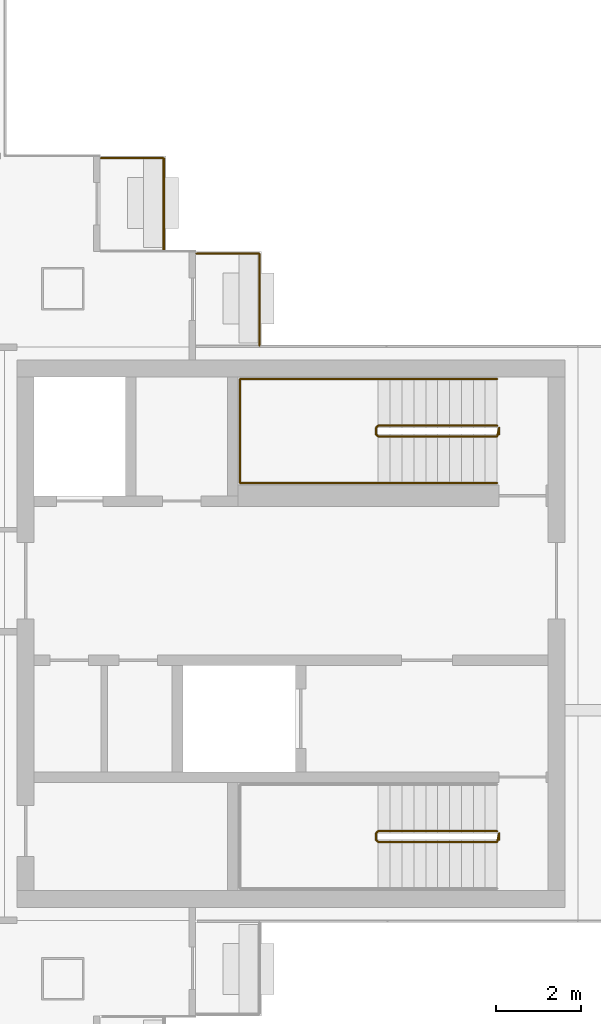
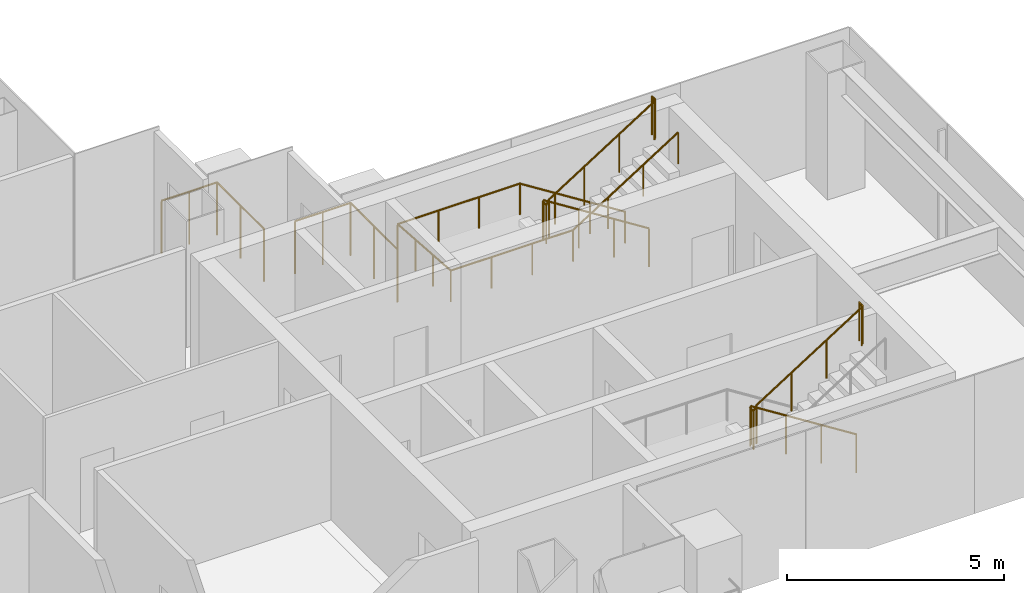
# One storey, part 16 of 17: 5 railings.
"""IFC4 building model written with IfcOpenShell, lengths in metres."""

import ifcopenshell
import ifcopenshell.guid

model = None  # the IFC model being written
_history = None  # IfcOwnerHistory: only IFC2X3 demands one
_inside = {}  # id of a spatial element -> (the spatial element, [elements in it])
_under = {}  # id of a project, library or spatial element -> (it, [spatial elements below it])
_declared = {}  # id of a project -> (the project, [libraries it declares])
_typed = {}  # id of a type object -> (the type object, [elements of that type])
_made_of = {}  # id of a material, layer set ... -> (it, [elements and type objects made of it])


def new_model(schema):
    """Start an empty IFC model of exactly this schema.

    Asked for "IFC4X3", IfcOpenShell would pick the latest addendum, in which some entities
    have other attributes; the version numbers below select the first issue.
    IFC2X3 requires an IfcOwnerHistory on every rooted entity: one is made here for all.
    """
    global model, _history
    if schema == "IFC4X3":
        model = ifcopenshell.file(schema_version=(4, 3, 0, 0))
    else:
        model = ifcopenshell.file(schema=schema)
    _inside.clear()
    _under.clear()
    _declared.clear()
    _typed.clear()
    _made_of.clear()
    _history = None
    if model.schema == "IFC2X3":
        org = make("IfcOrganization", Name="unknown")
        user = make(
            "IfcPersonAndOrganization",
            ThePerson=make("IfcPerson", FamilyName="unknown"),
            TheOrganization=org,
        )
        app = make(
            "IfcApplication",
            ApplicationDeveloper=org,
            Version="unknown",
            ApplicationFullName="unknown",
            ApplicationIdentifier="unknown",
        )
        _history = make(
            "IfcOwnerHistory",
            OwningUser=user,
            OwningApplication=app,
            ChangeAction="ADDED",
            CreationDate=0,
        )
    return model


def make(cls, **values):
    """One entity of the class cls with the attributes given. An attribute that is None is left unset."""
    return model.create_entity(
        cls, **{name: value for name, value in values.items() if value is not None}
    )


def rooted(cls, **values):
    """An entity with a GlobalId (a new one), such as an element, a storey or a relation."""
    return make(cls, GlobalId=ifcopenshell.guid.new(), OwnerHistory=_history, **values)


def si_unit(unit_type, name, prefix=None):
    """IfcSIUnit, for example si_unit("LENGTHUNIT", "METRE", prefix="MILLI")."""
    return make("IfcSIUnit", UnitType=unit_type, Prefix=prefix, Name=name)


def assignment(units):
    """IfcUnitAssignment: the units of a project."""
    return None if units is None else make("IfcUnitAssignment", Units=units)


def point(xyz):
    """IfcCartesianPoint."""
    return None if xyz is None else make("IfcCartesianPoint", Coordinates=xyz)


def direction(xyz):
    """IfcDirection."""
    return None if xyz is None else make("IfcDirection", DirectionRatios=xyz)


def frame(location, z_axis=None, x_axis=None):
    """IfcAxis2Placement3D, a coordinate frame: its origin and axes. An axis left out is left unset."""
    return make(
        "IfcAxis2Placement3D",
        Location=point(location),
        Axis=direction(z_axis),
        RefDirection=direction(x_axis),
    )


def frame_2d(location, x_axis=None):
    """IfcAxis2Placement2D, a coordinate frame in the plane: its origin and x axis."""
    return make(
        "IfcAxis2Placement2D", Location=point(location), RefDirection=direction(x_axis)
    )


def origin():
    """The frame at (0, 0, 0) with its axes left unset."""
    return frame((0.0, 0.0, 0.0))


def origin_2d():
    """The frame at (0, 0) in the plane with its x axis left unset."""
    return frame_2d((0.0, 0.0))


def place(relative_to, where):
    """IfcLocalPlacement: puts the frame where relative to a parent placement (None: the world)."""
    return make(
        "IfcLocalPlacement", PlacementRelTo=relative_to, RelativePlacement=where
    )


def context(
    kind, dimensions, precision=None, world=None, true_north=None, identifier=None
):
    """IfcGeometricRepresentationContext, for example the 3D "Model" context."""
    return make(
        "IfcGeometricRepresentationContext",
        ContextIdentifier=identifier,
        ContextType=kind,
        CoordinateSpaceDimension=dimensions,
        Precision=precision,
        WorldCoordinateSystem=world,
        TrueNorth=true_north,
    )


def subcontext(parent, identifier, kind, view, scale=None):
    """IfcGeometricRepresentationSubContext, for example "Body" below "Model"."""
    return make(
        "IfcGeometricRepresentationSubContext",
        ContextIdentifier=identifier,
        ContextType=kind,
        ParentContext=parent,
        TargetScale=scale,
        TargetView=view,
    )


def project(units=None, contexts=None):
    """IfcProject with its units and contexts."""
    return rooted(
        "IfcProject",
        Name="project",
        RepresentationContexts=contexts,
        UnitsInContext=assignment(units),
    )


def spatial(cls, under=None, at=None, **own):
    """A site, building, storey or space (cls), placed at a placement, below another one or the project."""
    s = rooted(cls, ObjectPlacement=at, **own)
    if under is not None:
        _under.setdefault(under.id(), (under, []))[1].append(s)
    return s


def profile(cls, at=None, kind="AREA", **sizes):
    """A parametric profile (cls). Its sizes go by their IFC names, for example OverallWidth=200.0."""
    return make(cls, ProfileType=kind, Position=at, **sizes)


def circle(**sizes):
    """IfcCircleProfileDef."""
    return profile("IfcCircleProfileDef", **sizes)


def extrude(swept, where, along, depth):
    """IfcExtrudedAreaSolid: the profile swept, set in the frame where, extruded along a direction by depth."""
    return make(
        "IfcExtrudedAreaSolid",
        SweptArea=swept,
        Position=where,
        ExtrudedDirection=direction(along),
        Depth=depth,
    )


def shape(context_of_items, identifier, shape_type, items):
    """IfcShapeRepresentation: the items that make up one representation, for example the "Body"."""
    return make(
        "IfcShapeRepresentation",
        ContextOfItems=context_of_items,
        RepresentationIdentifier=identifier,
        RepresentationType=shape_type,
        Items=items,
    )


def material(Name=None, Category=None):
    """IfcMaterial."""
    return make("IfcMaterial", Name=Name, Category=Category)


def made_of(thing, what):
    """Note that an element or type object is made of a material, layer set ...; save() writes the relation."""
    if what is not None:
        _made_of.setdefault(what.id(), (what, []))[1].append(thing)
    return thing


def type_object(cls, material=None, **own):
    """A type object (cls), such as IfcWallType, which elements share."""
    return made_of(rooted(cls, **own), material)


def element(
    cls,
    number,
    at=None,
    inside=None,
    cuts=None,
    type_object=None,
    material=None,
    context=None,
    identifier="Body",
    shape_type=None,
    held_by="IfcProductDefinitionShape",
    body=None,
    shapes=None,
    **own,
):
    """One element of the class cls, such as IfcWall. Its Tag is "e" and its number.

    at: its placement. inside: the storey or other place that contains it. cuts: it is an
    opening in that element (IfcRelVoidsElement). A single representation is given by context,
    identifier, shape_type and body (its items); several are given by shapes. held_by: the class
    of the entity that holds the representations. save() writes the other relations.
    """
    e = rooted(cls, Tag="e%d" % number, ObjectPlacement=at, **own)
    if body is not None:
        shapes = [shape(context, identifier, shape_type, body)]
    if shapes is not None:
        e.Representation = make(held_by, Representations=shapes)
    if inside is not None:
        _inside.setdefault(inside.id(), (inside, []))[1].append(e)
    if cuts is not None:
        rooted(
            "IfcRelVoidsElement", RelatingBuildingElement=cuts, RelatedOpeningElement=e
        )
    if type_object is not None:
        _typed.setdefault(type_object.id(), (type_object, []))[1].append(e)
    return made_of(e, material)


def aggregate(whole, parts):
    """IfcRelAggregates: a whole, such as a stair, and the parts it consists of."""
    return rooted("IfcRelAggregates", RelatingObject=whole, RelatedObjects=parts)


def save(model, path):
    """Write the relations noted so far, then the file.

    IfcRelAggregates (storeys below a building ...), IfcRelContainedInSpatialStructure (elements
    in a storey), IfcRelDefinesByType, IfcRelAssociatesMaterial and IfcRelDeclares: one each for
    every whole, place, type object, material and project.
    """
    for whole, parts in _under.values():
        aggregate(whole, parts)
    for where, things in _inside.values():
        rooted(
            "IfcRelContainedInSpatialStructure",
            RelatedElements=things,
            RelatingStructure=where,
        )
    for kind, things in _typed.values():
        rooted("IfcRelDefinesByType", RelatedObjects=things, RelatingType=kind)
    for what, things in _made_of.values():
        rooted("IfcRelAssociatesMaterial", RelatedObjects=things, RelatingMaterial=what)
    for by, libraries in _declared.values():
        rooted("IfcRelDeclares", RelatingContext=by, RelatedDefinitions=libraries)
    model.write(path)


model = new_model("IFC4")

# Units and contexts
model_context = context("Model", 3, precision=1e-05, world=origin(), true_north=direction((0.0, 1.0)))
body_context = subcontext(model_context, "Body", "Model", "MODEL_VIEW")
ifc_project = project(units=[si_unit("LENGTHUNIT", "METRE"), si_unit("AREAUNIT", "SQUARE_METRE"), si_unit("VOLUMEUNIT", "CUBIC_METRE"), si_unit("PLANEANGLEUNIT", "RADIAN"), si_unit("MASSUNIT", "GRAM", prefix="KILO")], contexts=[model_context])

# Site, building, storey
site_placement = place(None, origin())
site = spatial("IfcSite", under=ifc_project, at=site_placement, CompositionType="ELEMENT")
building_placement = place(site_placement, origin())
building = spatial("IfcBuilding", under=site, at=building_placement, Name="Shamsa Quay Exchange Towers", CompositionType="ELEMENT")
storey_placement = place(building_placement, frame((0.0, 0.0, 198.300048828125)))
storey = spatial("IfcBuildingStorey", under=building, at=storey_placement, Name="L47", CompositionType="ELEMENT", Elevation=198.300048828125)

# Railings
ifc_material_1 = material(Name="Steel S355, black powder-coated", Category="steel")
railing_type_1 = type_object("IfcRailingType", Name="BALCONY GUARD 1500", PredefinedType="GUARDRAIL", material=ifc_material_1)
for number, where, name in (
    (1, (44.25, 9.0380859375, 0.0), "Balcony guard T2-PKES L47"),
    (2, (46.5, 6.7880859375, 0.0), "Balcony guard T2-PKES L47"),
):
    element("IfcRailing", number, at=place(storey_placement, frame(where)), inside=storey, type_object=railing_type_1, Name=name, PredefinedType="GUARDRAIL", context=body_context, shape_type="SweptSolid", body=[
        extrude(circle(Radius=0.02392578125, at=origin_2d()), frame((0.0, 0.0, 1.47607421875), z_axis=(0.0, 1.0, 0.0), x_axis=(-1.0, 0.0, 0.0)), (0.0, 0.0, 1.0), 2.161865234375),
        extrude(circle(Radius=0.02392578125, at=origin_2d()), frame((0.0, 2.161865234375, 1.47607421875), z_axis=(-1.0, 0.0, 0.0), x_axis=(0.0, -1.0, 0.0)), (0.0, 0.0, 1.0), 1.47900390625),
        extrude(circle(Radius=0.02099609375, at=origin_2d()), origin(), (0.0, 0.0, 1.0), 1.451904296875),
        extrude(circle(Radius=0.02099609375, at=origin_2d()), frame((0.0, 1.0810546875, 0.0)), (0.0, 0.0, 1.0), 1.451904296875),
        extrude(circle(Radius=0.02099609375, at=origin_2d()), frame((0.0, 2.161865234375, 0.0)), (0.0, 0.0, 1.0), 1.451904296875),
        extrude(circle(Radius=0.02099609375, at=origin_2d()), frame((-0.739501953125, 2.161865234375, 0.0)), (0.0, 0.0, 1.0), 1.451904296875),
        extrude(circle(Radius=0.02099609375, at=origin_2d()), frame((-1.47900390625, 2.161865234375, 0.0)), (0.0, 0.0, 1.0), 1.451904296875),
    ])
ifc_material_2 = material(Name="Stainless steel", Category="steel")
railing_type_2 = type_object("IfcRailingType", Name="STAIR GUARD 1100", PredefinedType="GUARDRAIL", material=ifc_material_2)
railing_1_placement = place(storey_placement, frame((52.10009765625, -4.64990234375, 0.17724609375)))
element("IfcRailing", 3, at=railing_1_placement, inside=storey, type_object=railing_type_2, Name="L47 ST5 stair guard 1", PredefinedType="GUARDRAIL", context=body_context, shape_type="SweptSolid", body=[
    extrude(circle(Radius=0.02392578125, at=origin_2d()), frame((0.0, 0.0, 1.076171875), z_axis=(-0.844908973607, 0.0, 0.534910110503), x_axis=(0.0, -1.0, 0.0)), (0.0, 0.0, 1.0), 3.31396484375),
    extrude(circle(Radius=0.02392578125, at=origin_2d()), frame((-2.800048828125, 0.0, 2.8486328125), z_axis=(-0.707106781187, -0.707106781187, 0.0), x_axis=(0.707106781187, -0.707106781187, 0.0)), (0.0, 0.0, 1.0), 0.07080078125),
    extrude(circle(Radius=0.02392578125, at=origin_2d()), frame((-2.85009765625, -0.050048828125, 2.8486328125), z_axis=(0.0, -1.0, 0.0), x_axis=(1.0, 0.0, 0.0)), (0.0, 0.0, 1.0), 0.150146484375),
    extrude(circle(Radius=0.02392578125, at=origin_2d()), frame((-2.85009765625, -0.2001953125, 2.8486328125), z_axis=(0.262321481514, -0.261041864531, 0.929001929653), x_axis=(0.705375805398, 0.708833529934, 0.0)), (0.0, 0.0, 1.0), 0.190673828125),
    extrude(circle(Radius=0.02392578125, at=origin_2d()), frame((-2.800048828125, -0.25, 3.02587890625), z_axis=(0.844908973607, 0.0, 0.534910110503), x_axis=(0.0, 1.0, 0.0)), (0.0, 0.0, 1.0), 3.31396484375),
    extrude(circle(Radius=0.02392578125, at=origin_2d()), frame((0.0, -0.25, 4.798828125), z_axis=(0.241699205484, 0.970351222016, 0.0), x_axis=(-0.970351222016, 0.241699205484, 0.0)), (0.0, 0.0, 1.0), 0.2060546875),
    extrude(circle(Radius=0.02392578125, at=origin_2d()), frame((0.0498046875, -0.050048828125, 4.798828125), z_axis=(0.0, -1.0, 0.0), x_axis=(1.0, 0.0, 0.0)), (0.0, 0.0, 1.0), 0.150146484375),
    extrude(circle(Radius=0.02099609375, at=origin_2d()), origin(), (0.0, 0.0, 1.0), 1.052001953125),
    extrude(circle(Radius=0.02099609375, at=origin_2d()), frame((-0.933349609375, 0.0, 0.5908203125)), (0.0, 0.0, 1.0), 1.052001953125),
    extrude(circle(Radius=0.02099609375, at=origin_2d()), frame((-1.86669921875, 0.0, 1.181884765625)), (0.0, 0.0, 1.0), 1.052001953125),
    extrude(circle(Radius=0.02099609375, at=origin_2d()), frame((-2.800048828125, 0.0, 1.772705078125)), (0.0, 0.0, 1.0), 1.052001953125),
    extrude(circle(Radius=0.02099609375, at=origin_2d()), frame((-2.85009765625, -0.050048828125, 1.772705078125)), (0.0, 0.0, 1.0), 1.052001953125),
    extrude(circle(Radius=0.02099609375, at=origin_2d()), frame((-2.85009765625, -0.2001953125, 1.772705078125)), (0.0, 0.0, 1.0), 1.052001953125),
    extrude(circle(Radius=0.02099609375, at=origin_2d()), frame((-2.800048828125, -0.25, 1.949951171875)), (0.0, 0.0, 1.0), 1.052001953125),
    extrude(circle(Radius=0.02099609375, at=origin_2d()), frame((-1.86669921875, -0.25, 2.540771484375)), (0.0, 0.0, 1.0), 1.052001953125),
    extrude(circle(Radius=0.02099609375, at=origin_2d()), frame((-0.933349609375, -0.25, 3.1318359375)), (0.0, 0.0, 1.0), 1.052001953125),
    extrude(circle(Radius=0.02099609375, at=origin_2d()), frame((0.0, -0.25, 3.72265625)), (0.0, 0.0, 1.0), 1.052001953125),
    extrude(circle(Radius=0.02099609375, at=origin_2d()), frame((0.0498046875, -0.050048828125, 3.72265625)), (0.0, 0.0, 1.0), 1.052001953125),
    extrude(circle(Radius=0.02099609375, at=origin_2d()), frame((0.0498046875, -0.2001953125, 3.72265625)), (0.0, 0.0, 1.0), 1.052001953125),
])
railing_2_placement = place(storey_placement, frame((52.10009765625, 4.89990234375, 0.17724609375)))
element("IfcRailing", 4, at=railing_2_placement, inside=storey, type_object=railing_type_2, Name="L47 ST6 stair guard 1", PredefinedType="GUARDRAIL", context=body_context, shape_type="SweptSolid", body=[
    extrude(circle(Radius=0.02392578125, at=origin_2d()), frame((0.0, 0.0, 1.076171875), z_axis=(-0.844908973607, 0.0, 0.534910110503), x_axis=(0.0, -1.0, 0.0)), (0.0, 0.0, 1.0), 3.31396484375),
    extrude(circle(Radius=0.02392578125, at=origin_2d()), frame((-2.800048828125, 0.0, 2.8486328125), z_axis=(-0.708833529934, -0.705375805398, 0.0), x_axis=(0.705375805398, -0.708833529934, 0.0)), (0.0, 0.0, 1.0), 0.070556640625),
    extrude(circle(Radius=0.02392578125, at=origin_2d()), frame((-2.85009765625, -0.0498046875, 2.8486328125), z_axis=(0.0, -1.0, 0.0), x_axis=(1.0, 0.0, 0.0)), (0.0, 0.0, 1.0), 0.150146484375),
    extrude(circle(Radius=0.02392578125, at=origin_2d()), frame((-2.85009765625, -0.199951171875, 2.8486328125), z_axis=(0.262233686654, -0.262233686654, 0.928691007369), x_axis=(0.707106781187, 0.707106781187, 0.0)), (0.0, 0.0, 1.0), 0.19091796875),
    extrude(circle(Radius=0.02392578125, at=origin_2d()), frame((-2.800048828125, -0.25, 3.02587890625), z_axis=(0.844908973607, 0.0, 0.534910110503), x_axis=(0.0, 1.0, 0.0)), (0.0, 0.0, 1.0), 3.31396484375),
    extrude(circle(Radius=0.02392578125, at=origin_2d()), frame((0.0, -0.25, 4.798828125), z_axis=(0.24142163986, 0.970420317083, 0.0), x_axis=(-0.970420317083, 0.24142163986, 0.0)), (0.0, 0.0, 1.0), 0.206298828125),
    extrude(circle(Radius=0.02392578125, at=origin_2d()), frame((0.0498046875, -0.0498046875, 4.798828125), z_axis=(0.0, -1.0, 0.0), x_axis=(1.0, 0.0, 0.0)), (0.0, 0.0, 1.0), 0.150146484375),
    extrude(circle(Radius=0.02099609375, at=origin_2d()), origin(), (0.0, 0.0, 1.0), 1.052001953125),
    extrude(circle(Radius=0.02099609375, at=origin_2d()), frame((-0.933349609375, 0.0, 0.5908203125)), (0.0, 0.0, 1.0), 1.052001953125),
    extrude(circle(Radius=0.02099609375, at=origin_2d()), frame((-1.86669921875, 0.0, 1.181884765625)), (0.0, 0.0, 1.0), 1.052001953125),
    extrude(circle(Radius=0.02099609375, at=origin_2d()), frame((-2.800048828125, 0.0, 1.772705078125)), (0.0, 0.0, 1.0), 1.052001953125),
    extrude(circle(Radius=0.02099609375, at=origin_2d()), frame((-2.85009765625, -0.0498046875, 1.772705078125)), (0.0, 0.0, 1.0), 1.052001953125),
    extrude(circle(Radius=0.02099609375, at=origin_2d()), frame((-2.85009765625, -0.199951171875, 1.772705078125)), (0.0, 0.0, 1.0), 1.052001953125),
    extrude(circle(Radius=0.02099609375, at=origin_2d()), frame((-2.800048828125, -0.25, 1.949951171875)), (0.0, 0.0, 1.0), 1.052001953125),
    extrude(circle(Radius=0.02099609375, at=origin_2d()), frame((-1.86669921875, -0.25, 2.540771484375)), (0.0, 0.0, 1.0), 1.052001953125),
    extrude(circle(Radius=0.02099609375, at=origin_2d()), frame((-0.933349609375, -0.25, 3.1318359375)), (0.0, 0.0, 1.0), 1.052001953125),
    extrude(circle(Radius=0.02099609375, at=origin_2d()), frame((0.0, -0.25, 3.72265625)), (0.0, 0.0, 1.0), 1.052001953125),
    extrude(circle(Radius=0.02099609375, at=origin_2d()), frame((0.0498046875, -0.0498046875, 3.72265625)), (0.0, 0.0, 1.0), 1.052001953125),
    extrude(circle(Radius=0.02099609375, at=origin_2d()), frame((0.0498046875, -0.199951171875, 3.72265625)), (0.0, 0.0, 1.0), 1.052001953125),
])
railing_type_3 = type_object("IfcRailingType", Name="STAIR HANDRAIL 900", PredefinedType="HANDRAIL", material=ifc_material_2)
railing_3_placement = place(storey_placement, frame((52.10009765625, 6.0, 0.17724609375)))
element("IfcRailing", 5, at=railing_3_placement, inside=storey, type_object=railing_type_3, Name="L47 ST6 stair handrail 1", PredefinedType="HANDRAIL", context=body_context, shape_type="SweptSolid", body=[
    extrude(circle(Radius=0.02392578125, at=origin_2d()), frame((0.0, 0.0, 0.8759765625), z_axis=(-0.844908973607, 0.0, 0.534910110503), x_axis=(0.0, -1.0, 0.0)), (0.0, 0.0, 1.0), 3.31396484375),
    extrude(circle(Radius=0.02392578125, at=origin_2d()), frame((-2.800048828125, 0.0, 2.6484375), z_axis=(-1.0, 0.0, 0.0), x_axis=(0.0, -1.0, 0.0)), (0.0, 0.0, 1.0), 3.25),
    extrude(circle(Radius=0.02392578125, at=origin_2d()), frame((-6.050048828125, 0.0, 2.6484375), z_axis=(0.0, -0.997393199914, 0.07215819264), x_axis=(1.0, 0.0, 0.0)), (0.0, 0.0, 1.0), 2.456298828125),
    extrude(circle(Radius=0.02392578125, at=origin_2d()), frame((-6.050048828125, -2.449951171875, 2.82568359375), z_axis=(1.0, 0.0, 0.0), x_axis=(0.0, 1.0, 0.0)), (0.0, 0.0, 1.0), 3.25),
    extrude(circle(Radius=0.02392578125, at=origin_2d()), frame((-2.800048828125, -2.449951171875, 2.82568359375), z_axis=(0.844908973607, 0.0, 0.534910110503), x_axis=(0.0, 1.0, 0.0)), (0.0, 0.0, 1.0), 3.31396484375),
    extrude(circle(Radius=0.02099609375, at=origin_2d()), origin(), (0.0, 0.0, 1.0), 0.851806640625),
    extrude(circle(Radius=0.02099609375, at=origin_2d()), frame((-0.933349609375, 0.0, 0.5908203125)), (0.0, 0.0, 1.0), 0.851806640625),
    extrude(circle(Radius=0.02099609375, at=origin_2d()), frame((-1.86669921875, 0.0, 1.181884765625)), (0.0, 0.0, 1.0), 0.851806640625),
    extrude(circle(Radius=0.02099609375, at=origin_2d()), frame((-2.800048828125, 0.0, 1.772705078125)), (0.0, 0.0, 1.0), 0.851806640625),
    extrude(circle(Radius=0.02099609375, at=origin_2d()), frame((-3.88330078125, 0.0, 1.772705078125)), (0.0, 0.0, 1.0), 0.851806640625),
    extrude(circle(Radius=0.02099609375, at=origin_2d()), frame((-4.966796875, 0.0, 1.772705078125)), (0.0, 0.0, 1.0), 0.851806640625),
    extrude(circle(Radius=0.02099609375, at=origin_2d()), frame((-6.050048828125, 0.0, 1.772705078125)), (0.0, 0.0, 1.0), 0.851806640625),
    extrude(circle(Radius=0.02099609375, at=origin_2d()), frame((-6.050048828125, -0.816650390625, 1.831787109375)), (0.0, 0.0, 1.0), 0.851806640625),
    extrude(circle(Radius=0.02099609375, at=origin_2d()), frame((-6.050048828125, -1.63330078125, 1.890869140625)), (0.0, 0.0, 1.0), 0.851806640625),
    extrude(circle(Radius=0.02099609375, at=origin_2d()), frame((-6.050048828125, -2.449951171875, 1.949951171875)), (0.0, 0.0, 1.0), 0.851806640625),
    extrude(circle(Radius=0.02099609375, at=origin_2d()), frame((-4.966796875, -2.449951171875, 1.949951171875)), (0.0, 0.0, 1.0), 0.851806640625),
    extrude(circle(Radius=0.02099609375, at=origin_2d()), frame((-3.88330078125, -2.449951171875, 1.949951171875)), (0.0, 0.0, 1.0), 0.851806640625),
    extrude(circle(Radius=0.02099609375, at=origin_2d()), frame((-2.800048828125, -2.449951171875, 1.949951171875)), (0.0, 0.0, 1.0), 0.851806640625),
    extrude(circle(Radius=0.02099609375, at=origin_2d()), frame((-1.86669921875, -2.449951171875, 2.540771484375)), (0.0, 0.0, 1.0), 0.851806640625),
    extrude(circle(Radius=0.02099609375, at=origin_2d()), frame((-0.933349609375, -2.449951171875, 3.1318359375)), (0.0, 0.0, 1.0), 0.851806640625),
    extrude(circle(Radius=0.02099609375, at=origin_2d()), frame((0.0, -2.449951171875, 3.72265625)), (0.0, 0.0, 1.0), 0.851806640625),
])

save(model, "model.ifc")
